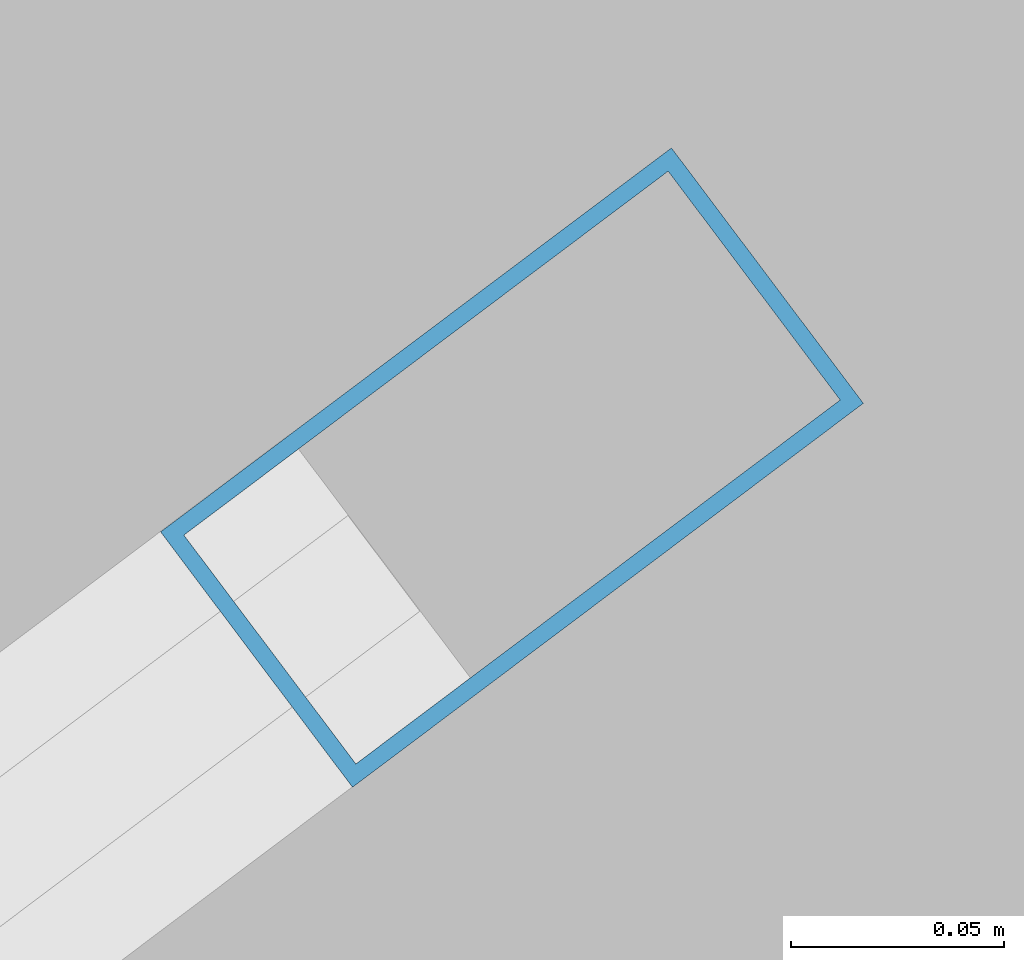
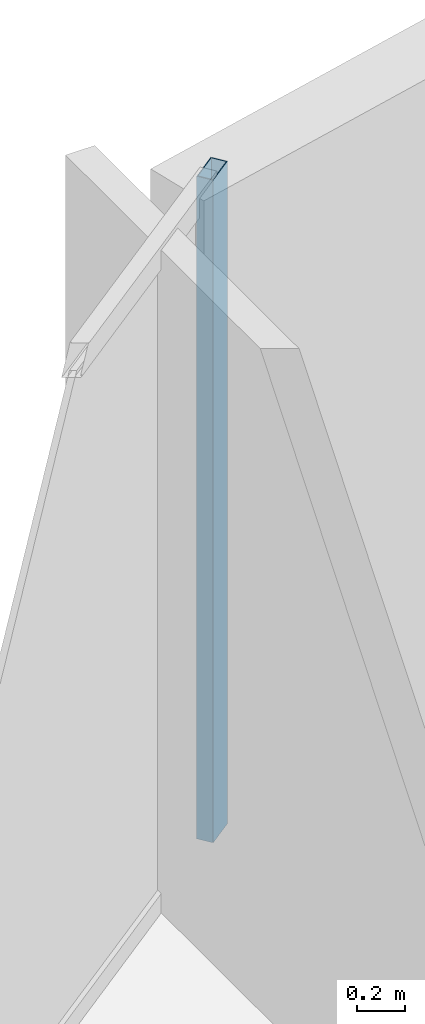
# One storey, part 18 of 31: 1 member, 1 element without a shape of its own.
"""IFC4 building model written with IfcOpenShell, lengths in metres."""

from ifc_helpers import new_model, si_unit, direction, frame, origin, origin_2d, place, context, subcontext, project, spatial, hollow_rectangle, extrude, material, layer, layer_set, material_profile, profile_set, type_object, element, aggregate, save


model = new_model("IFC4")

# Units and contexts
model_context = context("Model", 3, precision=1e-05, world=origin(), true_north=direction((0.0, 1.0)))
body_context = subcontext(model_context, "Body", "Model", "MODEL_VIEW")
ifc_project = project(units=[si_unit("LENGTHUNIT", "METRE"), si_unit("AREAUNIT", "SQUARE_METRE"), si_unit("VOLUMEUNIT", "CUBIC_METRE"), si_unit("PLANEANGLEUNIT", "RADIAN"), si_unit("MASSUNIT", "GRAM", prefix="KILO")], contexts=[model_context])

# Site, building, storey
site_placement = place(None, origin())
site = spatial("IfcSite", under=ifc_project, at=site_placement, CompositionType="ELEMENT")
building_placement = place(site_placement, origin())
building = spatial("IfcBuilding", under=site, at=building_placement, Name="Kazevale Care Tower and Concert Hall", CompositionType="ELEMENT")
storey_placement = place(building_placement, frame((0.0, 0.0, 124.199951171875)))
storey = spatial("IfcBuildingStorey", under=building, at=storey_placement, Name="L32", CompositionType="ELEMENT", Elevation=124.199951171875)

# Curtain wall, member
ifc_material_1 = material(Name="Aluminium 6063-T6 and Low-E Glass", Category="aluminium")
ifc_layer = layer(ifc_material_1, 0.179931640625)
ifc_layer_set = layer_set([ifc_layer], Name="Aluminium 6063-T6 and Low-E Glass")
curtain_wall_type = type_object("IfcCurtainWallType", Name="Convex Recessed Sunroom Curtain Wall CW-3", PredefinedType="NOTDEFINED", material=ifc_layer_set)
curtain_wall_placement = place(storey_placement, origin())
curtain_wall = element("IfcCurtainWall", 1, at=curtain_wall_placement, inside=storey, type_object=curtain_wall_type, Name="cw:L32:f14", PredefinedType="NOTDEFINED")
ifc_material_2 = material(Name="Aluminium 6063-T6", Category="aluminium")
ifc_material_profile = material_profile(ifc_material_2, hollow_rectangle(XDim=0.074951171875, YDim=0.14990234375, WallThickness=0.00390625, at=origin_2d()), Name="ALU75x150x4")
ifc_profile_set = profile_set([ifc_material_profile], Name="Aluminium 6063-T6")
member_type = type_object("IfcMemberType", Name="CW-3 Mullion ALU75x150x4", PredefinedType="MULLION", material=ifc_profile_set)
member_placement = place(storey_placement, frame((29.157958984375, 59.136474609375, 0.0), z_axis=(0.0, 0.0, 1.0), x_axis=(-0.600797902474, 0.799400950952, 0.0)))
member = element("IfcMember", 2, at=member_placement, type_object=member_type, Name="CW-3 mullion 2", PredefinedType="MULLION", context=body_context, shape_type="SweptSolid", body=[
    extrude(hollow_rectangle(XDim=0.074951171875, YDim=0.14990234375, WallThickness=0.00390625, at=origin_2d()), origin(), (0.0, 0.0, 1.0), 3.360107421875),
])
aggregate(curtain_wall, [member])

save(model, "model.ifc")
